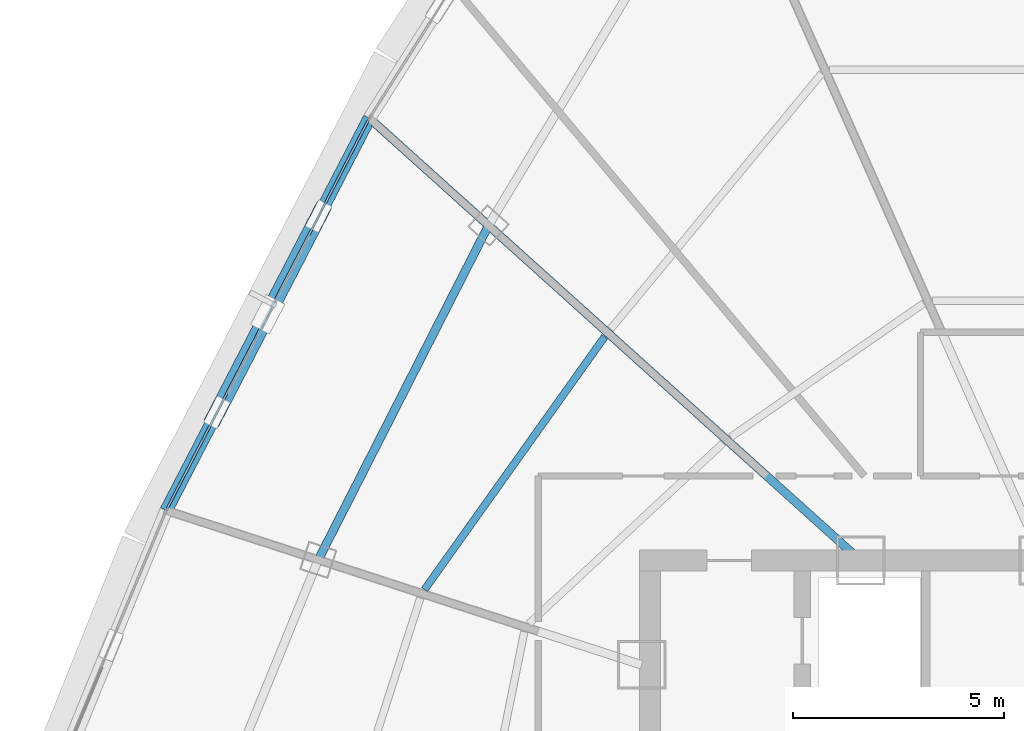
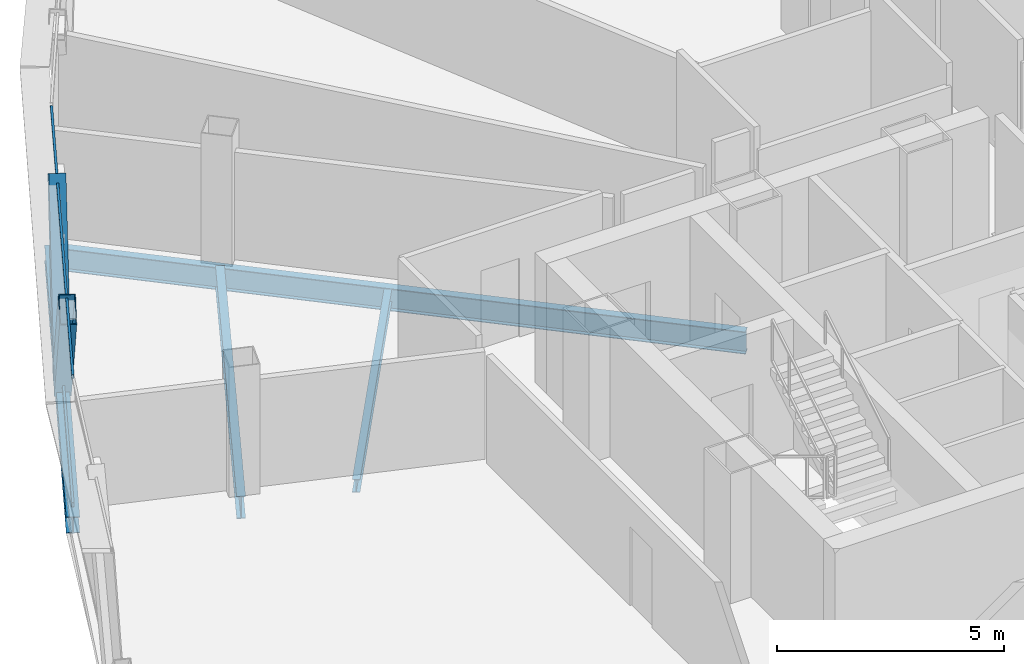
# One storey, part 9 of 33: 4 beams, 4 members, 1 element without a shape of its own.
"""IFC4 building model written with IfcOpenShell, lengths in metres."""

from ifc_helpers import new_model, si_unit, direction, frame, origin, origin_2d, place, context, subcontext, project, spatial, hollow_rectangle, i_section, extrude, source, transform, mapped, material, layer, layer_set, material_profile, profile_set, type_object, element, aggregate, save


model = new_model("IFC4")

# Units and contexts
model_context = context("Model", 3, precision=1e-05, world=origin(), true_north=direction((0.0, 1.0)))
body_context = subcontext(model_context, "Body", "Model", "MODEL_VIEW")
ifc_project = project(units=[si_unit("LENGTHUNIT", "METRE"), si_unit("AREAUNIT", "SQUARE_METRE"), si_unit("VOLUMEUNIT", "CUBIC_METRE"), si_unit("PLANEANGLEUNIT", "RADIAN"), si_unit("MASSUNIT", "GRAM", prefix="KILO"), si_unit("THERMODYNAMICTEMPERATUREUNIT", "KELVIN"), si_unit("POWERUNIT", "WATT")], contexts=[model_context])

# Site, building, storey
site_placement = place(None, origin())
site = spatial("IfcSite", under=ifc_project, at=site_placement, CompositionType="ELEMENT")
building_placement = place(site_placement, origin())
building = spatial("IfcBuilding", under=site, at=building_placement, Name="Yunzhuo Pagoda Commons", CompositionType="ELEMENT")
storey_placement = place(building_placement, frame((0.0, 0.0, 329.260009765625)))
storey = spatial("IfcBuildingStorey", under=building, at=storey_placement, Name="L82", CompositionType="ELEMENT", Elevation=329.260009765625)

# Beams
ifc_material_1 = material(Name="Structural steel Q355B", Category="steel")
ifc_material_profile_1 = material_profile(ifc_material_1, i_section(OverallWidth=0.300048828125, OverallDepth=0.43994140625, WebThickness=0.010986328125, FlangeThickness=0.01806640625, at=origin_2d()), Name="Structural steel Q355B")
ifc_profile_set_1 = profile_set([ifc_material_profile_1], Name="Structural steel Q355B")
beam_type_1 = type_object("IfcBeamType", Name="B-SP2 Beam HM 440x300x11x18", PredefinedType="BEAM", material=ifc_profile_set_1)
shared_shape_1 = source(origin(), body_context, "Body", "SweptSolid", [
    extrude(i_section(OverallWidth=0.300048828125, OverallDepth=0.43994140625, WebThickness=0.010986328125, FlangeThickness=0.01806640625, at=origin_2d()), origin(), (0.0, 0.0, 1.0), 10.453369140625),
])
beam_1_placement = place(storey_placement, frame((29.15625, 50.6669921875, -0.47998046875), z_axis=(-0.459938764451, -0.887950636553, 0.0), x_axis=(0.887950636553, -0.459938764451, 0.0)))
element("IfcBeam", 1, at=beam_1_placement, inside=storey, type_object=beam_type_1, Name="L82 facade edge spandrel beam F3.2", PredefinedType="BEAM", context=body_context, shape_type="MappedRepresentation", body=[
    mapped(shared_shape_1, transform((0.0, 0.0, 0.0), scale=1.0)),
])
ifc_material_profile_2 = material_profile(ifc_material_1, i_section(OverallWidth=0.199951171875, OverallDepth=0.60009765625, WebThickness=0.010986328125, FlangeThickness=0.01708984375, at=origin_2d()), Name="Structural steel Q355B")
ifc_profile_set_2 = profile_set([ifc_material_profile_2], Name="Structural steel Q355B")
beam_type_2 = type_object("IfcBeamType", Name="B-RG3 Beam HN 600x200x11x17", PredefinedType="BEAM", material=ifc_profile_set_2)
shared_shape_2 = source(origin(), body_context, "Body", "SweptSolid", [
    extrude(i_section(OverallWidth=0.199951171875, OverallDepth=0.60009765625, WebThickness=0.010986328125, FlangeThickness=0.01708984375, at=origin_2d()), origin(), (0.0, 0.0, 1.0), 8.87939453125),
])
beam_2_placement = place(storey_placement, frame((31.975341796875, 48.128662109375, -0.56005859375), z_axis=(-0.453723535687, -0.891142498798, 0.0), x_axis=(0.891142498798, -0.453723535687, 0.0)))
element("IfcBeam", 2, at=beam_2_placement, inside=storey, type_object=beam_type_2, Name="L82 column-ring beam 10", PredefinedType="BEAM", context=body_context, shape_type="MappedRepresentation", body=[
    mapped(shared_shape_2, transform((0.0, 0.0, 0.0), scale=1.0)),
])
shared_shape_3 = source(origin(), body_context, "Body", "SweptSolid", [
    extrude(i_section(OverallWidth=0.199951171875, OverallDepth=0.60009765625, WebThickness=0.010986328125, FlangeThickness=0.01708984375, at=origin_2d()), origin(), (0.0, 0.0, 1.0), 15.487548828125),
])
beam_3_placement = place(storey_placement, frame((29.271484375, 50.563232421875, -0.56005859375), z_axis=(0.743142849048, -0.6691328014, 0.0), x_axis=(0.6691328014, 0.743142849048, 0.0)))
element("IfcBeam", 3, at=beam_3_placement, inside=storey, type_object=beam_type_2, Name="L82 radial floor girder F3C2", PredefinedType="BEAM", context=body_context, shape_type="MappedRepresentation", body=[
    mapped(shared_shape_3, transform((0.0, 0.0, 0.0), scale=1.0)),
])
ifc_material_profile_3 = material_profile(ifc_material_1, i_section(OverallWidth=0.175048828125, OverallDepth=0.35009765625, WebThickness=0.007080078125, FlangeThickness=0.010986328125, at=origin_2d()), Name="Structural steel Q355B")
ifc_profile_set_3 = profile_set([ifc_material_profile_3], Name="Structural steel Q355B")
beam_type_3 = type_object("IfcBeamType", Name="B-JS2 Joist HN 350x175x7x11", PredefinedType="JOIST", material=ifc_profile_set_3)
shared_shape_4 = source(origin(), body_context, "Body", "SweptSolid", [
    extrude(i_section(OverallWidth=0.175048828125, OverallDepth=0.35009765625, WebThickness=0.007080078125, FlangeThickness=0.010986328125, at=origin_2d()), origin(), (0.0, 0.0, 1.0), 7.347900390625),
])
beam_4_placement = place(storey_placement, frame((34.726318359375, 45.497802734375, -0.43505859375), z_axis=(-0.580294898948, -0.814406428177, 0.0), x_axis=(0.814406428177, -0.580294898948, 0.0)))
element("IfcBeam", 4, at=beam_4_placement, inside=storey, type_object=beam_type_3, Name="L82 composite ring joist 2.10", PredefinedType="JOIST", context=body_context, shape_type="MappedRepresentation", body=[
    mapped(shared_shape_4, transform((0.0, 0.0, 0.0), scale=1.0)),
])

# Members
ifc_material_profile_4 = material_profile(ifc_material_1, hollow_rectangle(XDim=0.3798828125, YDim=0.719970703125, WallThickness=0.02001953125, at=origin_2d()), Name="Structural steel Q355B")
ifc_profile_set_4 = profile_set([ifc_material_profile_4], Name="Structural steel Q355B")
member_type_1 = type_object("IfcMemberType", Name="M-DL3 Brace BOX 720x380x20", PredefinedType="BRACE", material=ifc_profile_set_4)
shared_shape_5 = source(origin(), body_context, "Body", "SweptSolid", [
    extrude(hollow_rectangle(XDim=0.3798828125, YDim=0.719970703125, WallThickness=0.02001953125, at=origin_2d()), origin(), (0.0, 0.0, 1.0), 4.57080078125),
])
member_1_placement = place(storey_placement, frame((26.752197265625, 46.02587890625, -0.260009765625), z_axis=(-0.262953700016, -0.507693463061, 0.820428363243), x_axis=(0.887965115097, -0.459910811323, 0.0)))
element("IfcMember", 5, at=member_1_placement, inside=storey, type_object=member_type_1, Name="L82 facade diamond brace F3.2R", PredefinedType="BRACE", context=body_context, shape_type="MappedRepresentation", body=[
    mapped(shared_shape_5, transform((0.0, 0.0, 0.0), scale=1.0)),
])
shared_shape_6 = source(origin(), body_context, "Body", "SweptSolid", [
    extrude(hollow_rectangle(XDim=0.3798828125, YDim=0.719970703125, WallThickness=0.02001953125, at=origin_2d()), origin(), (0.0, 0.0, 1.0), 4.571044921875),
])
member_2_placement = place(storey_placement, frame((26.752197265625, 46.02587890625, -0.260009765625), z_axis=(0.262996287127, 0.507725975919, 0.820394591849), x_axis=(-0.88794672524, 0.459946315493, 0.0)))
element("IfcMember", 6, at=member_2_placement, inside=storey, type_object=member_type_1, Name="L82 facade diamond brace F3.2L", PredefinedType="BRACE", context=body_context, shape_type="MappedRepresentation", body=[
    mapped(shared_shape_6, transform((0.0, 0.0, 0.0), scale=1.0)),
])

# Curtain wall, members
ifc_material_2 = material(Name="Anodized aluminium 6063-T6", Category="aluminium")
ifc_layer = layer(ifc_material_2, 0.139892578125)
ifc_layer_set = layer_set([ifc_layer], Name="Anodized aluminium 6063-T6")
curtain_wall_type = type_object("IfcCurtainWallType", Name="CW-HI High-Zone Ribbon Curtain Wall", PredefinedType="NOTDEFINED", material=ifc_layer_set)
curtain_wall_placement = place(storey_placement, origin())
curtain_wall = element("IfcCurtainWall", 7, at=curtain_wall_placement, inside=storey, type_object=curtain_wall_type, Name="L82 curtain wall CW-L82-F3B3", PredefinedType="NOTDEFINED")
ifc_material_profile_5 = material_profile(ifc_material_2, hollow_rectangle(XDim=0.054931640625, YDim=0.1201171875, WallThickness=0.00341796875, at=origin_2d()), Name="Anodized aluminium 6063-T6")
ifc_profile_set_5 = profile_set([ifc_material_profile_5], Name="Anodized aluminium 6063-T6")
member_type_2 = type_object("IfcMemberType", Name="CW-HI-T Transom RHS 120x55x3.5", PredefinedType="USERDEFINED", material=ifc_profile_set_5)
shared_shape_7 = source(origin(), body_context, "Body", "SweptSolid", [
    extrude(hollow_rectangle(XDim=0.054931640625, YDim=0.1201171875, WallThickness=0.00341796875, at=origin_2d()), origin(), (0.0, 0.0, 1.0), 10.33349609375),
])
member_3_placement = place(storey_placement, frame((29.128662109375, 50.614013671875, 0.027587890625), z_axis=(-0.459926104171, -0.887957194183, 0.0), x_axis=(0.887957194183, -0.459926104171, 0.0)))
member_3 = element("IfcMember", 8, at=member_3_placement, type_object=member_type_2, Name="CW transom 1.1", ObjectType="TRANSOM", PredefinedType="USERDEFINED", context=body_context, shape_type="MappedRepresentation", body=[
    mapped(shared_shape_7, transform((0.0, 0.0, 0.0), scale=1.0)),
])
member_4_placement = place(storey_placement, frame((29.128662109375, 50.614013671875, 3.46240234375), z_axis=(-0.459926104171, -0.887957194183, 0.0), x_axis=(0.887957194183, -0.459926104171, 0.0)))
member_4 = element("IfcMember", 9, at=member_4_placement, type_object=member_type_2, Name="CW transom 1.2", ObjectType="TRANSOM", PredefinedType="USERDEFINED", context=body_context, shape_type="MappedRepresentation", body=[
    mapped(shared_shape_7, transform((0.0, 0.0, 0.0), scale=1.0)),
])
aggregate(curtain_wall, [member_3, member_4])

save(model, "model.ifc")
